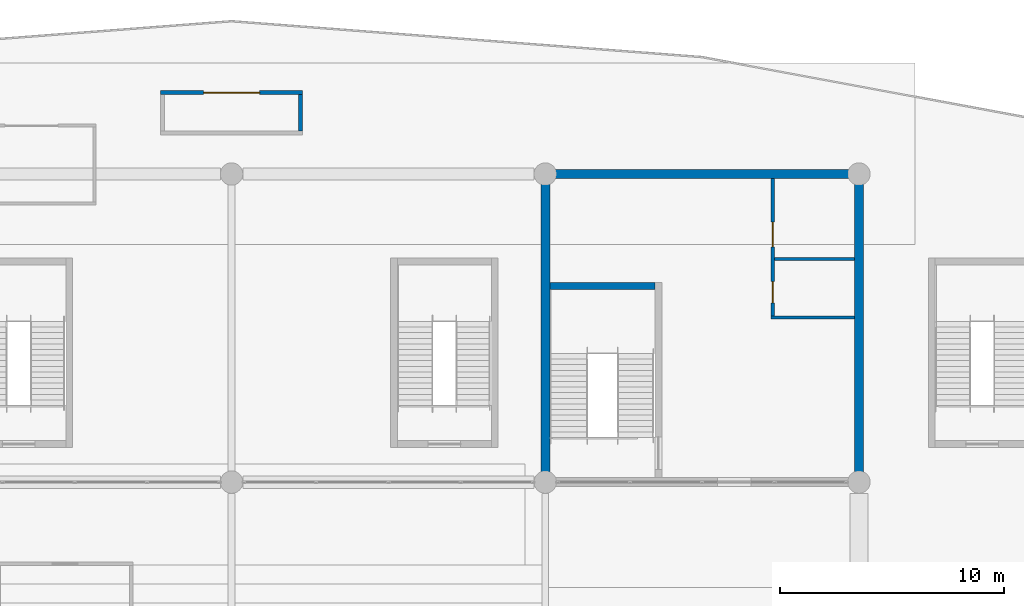
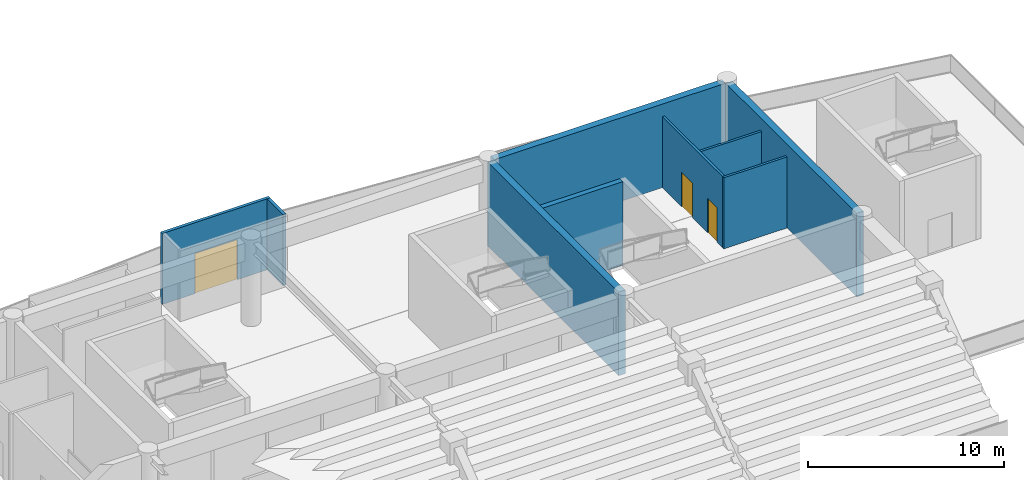
# One storey, part 97 of 117: 9 walls, 3 doors, 3 openings.
"""IFC4 building model written with IfcOpenShell, lengths in metres."""

from ifc_helpers import new_model, si_unit, direction, frame, frame_2d, origin, place, context, subcontext, project, spatial, rectangle, extrude, material, layer, layer_set, type_object, element, fill, save


model = new_model("IFC4")

# Units and contexts
model_context = context("Model", 3, precision=1e-05, world=origin(), true_north=direction((0.0, 1.0)))
body_context = subcontext(model_context, "Body", "Model", "MODEL_VIEW")
ifc_project = project(units=[si_unit("LENGTHUNIT", "METRE"), si_unit("AREAUNIT", "SQUARE_METRE"), si_unit("VOLUMEUNIT", "CUBIC_METRE"), si_unit("PLANEANGLEUNIT", "RADIAN"), si_unit("MASSUNIT", "GRAM", prefix="KILO")], contexts=[model_context])

# Site, building, storey
site_placement = place(None, origin())
site = spatial("IfcSite", under=ifc_project, at=site_placement, CompositionType="ELEMENT")
building_placement = place(site_placement, origin())
building = spatial("IfcBuilding", under=site, at=building_placement, Name="Linyun Crest Stadium", CompositionType="ELEMENT")
storey_placement = place(building_placement, frame((0.0, 0.0, 6.0)))
storey = spatial("IfcBuildingStorey", under=building, at=storey_placement, Name="L02", CompositionType="ELEMENT", Elevation=6.0)

# Walls
ifc_material_1 = material(Name="Concrete C50", Category="concrete")
ifc_layer_1 = layer(ifc_material_1, 0.39990234375)
ifc_layer_set_1 = layer_set([ifc_layer_1], Name="Concrete C50")
wall_type_1 = type_object("IfcWallType", Name="CW02", PredefinedType="SHEAR", material=ifc_layer_set_1)
for number, where, z_axis, x_axis, name in (
    (1, (14.0, 91.699951171875, 0.0), (0.0, 0.0, 1.0), (0.0, 1.0, 0.0), "Core shear wall CW02 CORE-N2 L02.1"),
    (2, (28.0, 91.699951171875, 0.0), (0.0, 0.0, 1.0), (0.0, 1.0, 0.0), "Core shear wall CW02 CORE-N2 L02.2"),
):
    element("IfcWall", number, at=place(storey_placement, frame(where, z_axis=z_axis, x_axis=x_axis)), inside=storey, type_object=wall_type_1, Name=name, PredefinedType="SHEAR", context=body_context, shape_type="SweptSolid", body=[
        extrude(rectangle(XDim=13.35009765625, YDim=0.39990234375, at=frame_2d((6.675048828125, 0.0))), origin(), (0.0, 0.0, 1.0), 5.199951171875),
    ])
wall_1_placement = place(storey_placement, frame((14.199951171875, 105.25, 0.0), z_axis=(0.0, 0.0, 1.0), x_axis=(1.0, 0.0, 0.0)))
element("IfcWall", 3, at=wall_1_placement, inside=storey, type_object=wall_type_1, Name="Core shear wall CW02 CORE-N2 L02.4", PredefinedType="SHEAR", context=body_context, shape_type="SweptSolid", body=[
    extrude(rectangle(XDim=13.60009765625, YDim=0.39990234375, at=frame_2d((6.800048828125, 0.0))), origin(), (0.0, 0.0, 1.0), 5.199951171875),
])

# Wall, openings, doors
ifc_material_2 = material(Name="Moisture-resistant ceramic-tiled wet-room wall")
ifc_layer_2 = layer(ifc_material_2, 0.139892578125)
ifc_layer_set_2 = layer_set([ifc_layer_2], Name="Moisture-resistant ceramic-tiled wet-room wall")
wall_type_2 = type_object("IfcWallType", Name="PW15", PredefinedType="PARTITIONING", material=ifc_layer_set_2)
wall_2_placement = place(storey_placement, frame((24.14990234375, 98.919921875, 0.0), z_axis=(0.0, 0.0, 1.0), x_axis=(0.0, 1.0, 0.0)))
wall_2 = element("IfcWall", 4, at=wall_2_placement, inside=storey, type_object=wall_type_2, Name="Partition PW15 L02 107", PredefinedType="PARTITIONING", context=body_context, shape_type="SweptSolid", body=[
    extrude(rectangle(XDim=6.130126953125, YDim=0.139892578125, at=frame_2d((3.06494140625, 0.0))), origin(), (0.0, 0.0, 1.0), 4.419921875),
])
opening_1_placement = place(wall_2_placement, frame((0.580078125, 0.0, 0.0)))
opening_1 = element("IfcOpeningElement", 5, at=opening_1_placement, cuts=wall_2, Name="Opening D-L02-302", PredefinedType="OPENING", context=body_context, shape_type="SweptSolid", body=[
    extrude(rectangle(XDim=0.949951171875, YDim=2.14990234375, at=frame_2d((0.47509765625, 1.074951171875))), frame((0.0, 0.079833984375, 0.0), z_axis=(0.0, -1.0, 0.0), x_axis=(1.0, 0.0, 0.0)), (0.0, 0.0, 1.0), 0.159912109375),
])
opening_2_placement = place(wall_2_placement, frame((3.080078125, 0.0, 0.0)))
opening_2 = element("IfcOpeningElement", 6, at=opening_2_placement, cuts=wall_2, Name="Opening D-L02-303", PredefinedType="OPENING", context=body_context, shape_type="SweptSolid", body=[
    extrude(rectangle(XDim=1.10009765625, YDim=2.14990234375, at=frame_2d((0.550048828125, 1.074951171875))), frame((0.0, 0.079833984375, 0.0), z_axis=(0.0, -1.0, 0.0), x_axis=(1.0, 0.0, 0.0)), (0.0, 0.0, 1.0), 0.159912109375),
])
ifc_material_3 = material(Name="Moisture-resistant laminate leaf")
ifc_layer_3 = layer(ifc_material_3, 0.044921875)
ifc_layer_set_3 = layer_set([ifc_layer_3], Name="Moisture-resistant laminate leaf")
door_type_1 = type_object("IfcDoorType", Name="ID02", OperationType="NOTDEFINED", PredefinedType="DOOR", material=ifc_layer_set_3)
door_1_placement = place(opening_1_placement, origin())
door_1 = element("IfcDoor", 7, at=door_1_placement, inside=storey, type_object=door_type_1, Name="Door D-L02-302", OperationType="SINGLE_SWING_RIGHT", OverallHeight=2.14990234375, OverallWidth=0.949951171875, PredefinedType="DOOR", context=body_context, shape_type="SweptSolid", body=[
    extrude(rectangle(XDim=0.949951171875, YDim=2.14990234375, at=frame_2d((0.47509765625, 1.074951171875))), frame((0.0, 0.02490234375, 0.0), z_axis=(0.0, -1.0, 0.0), x_axis=(1.0, 0.0, 0.0)), (0.0, 0.0, 1.0), 0.050048828125),
])
fill(opening_1, door_1)
ifc_material_4 = material(Name="Moisture-resistant laminate leaf")
ifc_layer_4 = layer(ifc_material_4, 0.044921875)
ifc_layer_set_4 = layer_set([ifc_layer_4], Name="Moisture-resistant laminate leaf")
door_type_2 = type_object("IfcDoorType", Name="ID03", OperationType="NOTDEFINED", PredefinedType="DOOR", material=ifc_layer_set_4)
door_2_placement = place(opening_2_placement, origin())
door_2 = element("IfcDoor", 8, at=door_2_placement, inside=storey, type_object=door_type_2, Name="Door D-L02-303", OperationType="SINGLE_SWING_LEFT", OverallHeight=2.14990234375, OverallWidth=1.10009765625, PredefinedType="DOOR", context=body_context, shape_type="SweptSolid", body=[
    extrude(rectangle(XDim=1.10009765625, YDim=2.14990234375, at=frame_2d((0.550048828125, 1.074951171875))), frame((0.0, 0.02490234375, 0.0), z_axis=(0.0, -1.0, 0.0), x_axis=(1.0, 0.0, 0.0)), (0.0, 0.0, 1.0), 0.050048828125),
])
fill(opening_2, door_2)

# Walls
wall_3_placement = place(storey_placement, frame((24.080078125, 98.85009765625, 0.0), z_axis=(0.0, 0.0, 1.0), x_axis=(1.0, 0.0, 0.0)))
element("IfcWall", 9, at=wall_3_placement, inside=storey, type_object=wall_type_2, Name="Enclosure partition PW15 L02 95", PredefinedType="PARTITIONING", context=body_context, shape_type="SweptSolid", body=[
    extrude(rectangle(XDim=3.719970703125, YDim=0.139892578125, at=frame_2d((1.85986328125, 0.0))), origin(), (0.0, 0.0, 1.0), 4.419921875),
])
wall_4_placement = place(storey_placement, frame((24.219970703125, 101.449951171875, 0.0), z_axis=(0.0, 0.0, 1.0), x_axis=(1.0, 0.0, 0.0)))
element("IfcWall", 10, at=wall_4_placement, inside=storey, type_object=wall_type_2, Name="Enclosure partition PW15 L02 96", PredefinedType="PARTITIONING", context=body_context, shape_type="SweptSolid", body=[
    extrude(rectangle(XDim=3.580078125, YDim=0.139892578125, at=frame_2d((1.7900390625, 0.0))), origin(), (0.0, 0.0, 1.0), 4.419921875),
])

# Wall, opening, door
ifc_material_5 = material(Name="Concourse concession fire-rated masonry wall", Category="masonry")
ifc_layer_5 = layer(ifc_material_5, 0.175048828125)
ifc_layer_set_5 = layer_set([ifc_layer_5], Name="Concourse concession fire-rated masonry wall")
wall_type_3 = type_object("IfcWallType", Name="PW24", PredefinedType="PARTITIONING", material=ifc_layer_set_5)
wall_5_placement = place(storey_placement, frame((-3.169921875, 108.883056640625, 0.0), z_axis=(0.0, 0.0, 1.0), x_axis=(1.0, 0.0, 0.0)))
wall_5 = element("IfcWall", 11, at=wall_5_placement, inside=storey, type_object=wall_type_3, Name="Partition PW24 L02 194", PredefinedType="PARTITIONING", context=body_context, shape_type="SweptSolid", body=[
    extrude(rectangle(XDim=6.33984375, YDim=0.175048828125, at=frame_2d((3.169921875, 0.0))), origin(), (0.0, 0.0, 1.0), 4.419921875),
])
opening_3_placement = place(wall_5_placement, frame((1.919921875, 0.0, 0.0)))
opening_3 = element("IfcOpeningElement", 12, at=opening_3_placement, cuts=wall_5, Name="Opening D-L02-457", PredefinedType="OPENING", context=body_context, shape_type="SweptSolid", body=[
    extrude(rectangle(XDim=2.5, YDim=2.5, at=frame_2d((1.25, 1.25))), frame((0.0, 0.097412109375, 0.0), z_axis=(0.0, -1.0, 0.0), x_axis=(1.0, 0.0, 0.0)), (0.0, 0.0, 1.0), 0.195068359375),
])
ifc_material_6 = material(Name="Verdigris framed glazed concourse door")
ifc_layer_6 = layer(ifc_material_6, 0.054931640625)
ifc_layer_set_6 = layer_set([ifc_layer_6], Name="Verdigris framed glazed concourse door")
door_type_3 = type_object("IfcDoorType", Name="ID16", OperationType="NOTDEFINED", PredefinedType="DOOR", material=ifc_layer_set_6)
door_3_placement = place(opening_3_placement, origin())
door_3 = element("IfcDoor", 13, at=door_3_placement, inside=storey, type_object=door_type_3, Name="Door D-L02-457", OperationType="DOUBLE_DOOR_SINGLE_SWING", OverallHeight=2.5, OverallWidth=2.5, PredefinedType="DOOR", context=body_context, shape_type="SweptSolid", body=[
    extrude(rectangle(XDim=2.5, YDim=2.5, at=frame_2d((1.25, 1.25))), frame((0.0, 0.02490234375, 0.0), z_axis=(0.0, -1.0, 0.0), x_axis=(1.0, 0.0, 0.0)), (0.0, 0.0, 1.0), 0.050048828125),
])
fill(opening_3, door_3)

# Walls
wall_6_placement = place(storey_placement, frame((3.08203125, 107.1708984375, 0.0), z_axis=(0.0, 0.0, 1.0), x_axis=(0.0, 1.0, 0.0)))
element("IfcWall", 14, at=wall_6_placement, inside=storey, type_object=wall_type_3, Name="Enclosure partition PW24 L02 300", PredefinedType="PARTITIONING", context=body_context, shape_type="SweptSolid", body=[
    extrude(rectangle(XDim=1.6240234375, YDim=0.175048828125, at=frame_2d((0.81201171875, 0.0))), origin(), (0.0, 0.0, 1.0), 4.419921875),
])
ifc_material_7 = material(Name="Concrete C50", Category="concrete")
ifc_layer_7 = layer(ifc_material_7, 0.300048828125)
ifc_layer_set_7 = layer_set([ifc_layer_7], Name="Concrete C50")
wall_type_4 = type_object("IfcWallType", Name="SW01", PredefinedType="SHEAR", material=ifc_layer_set_7)
wall_7_placement = place(storey_placement, frame((14.199951171875, 100.25, 0.0), z_axis=(0.0, 0.0, 1.0), x_axis=(1.0, 0.0, 0.0)))
element("IfcWall", 15, at=wall_7_placement, inside=storey, type_object=wall_type_4, Name="Core stair bearing wall SW01 8 L02", PredefinedType="SHEAR", context=body_context, shape_type="SweptSolid", body=[
    extrude(rectangle(XDim=4.699951171875, YDim=0.300048828125, at=frame_2d((2.35009765625, 0.0))), origin(), (0.0, 0.0, 1.0), 5.199951171875),
])

save(model, "model.ifc")
